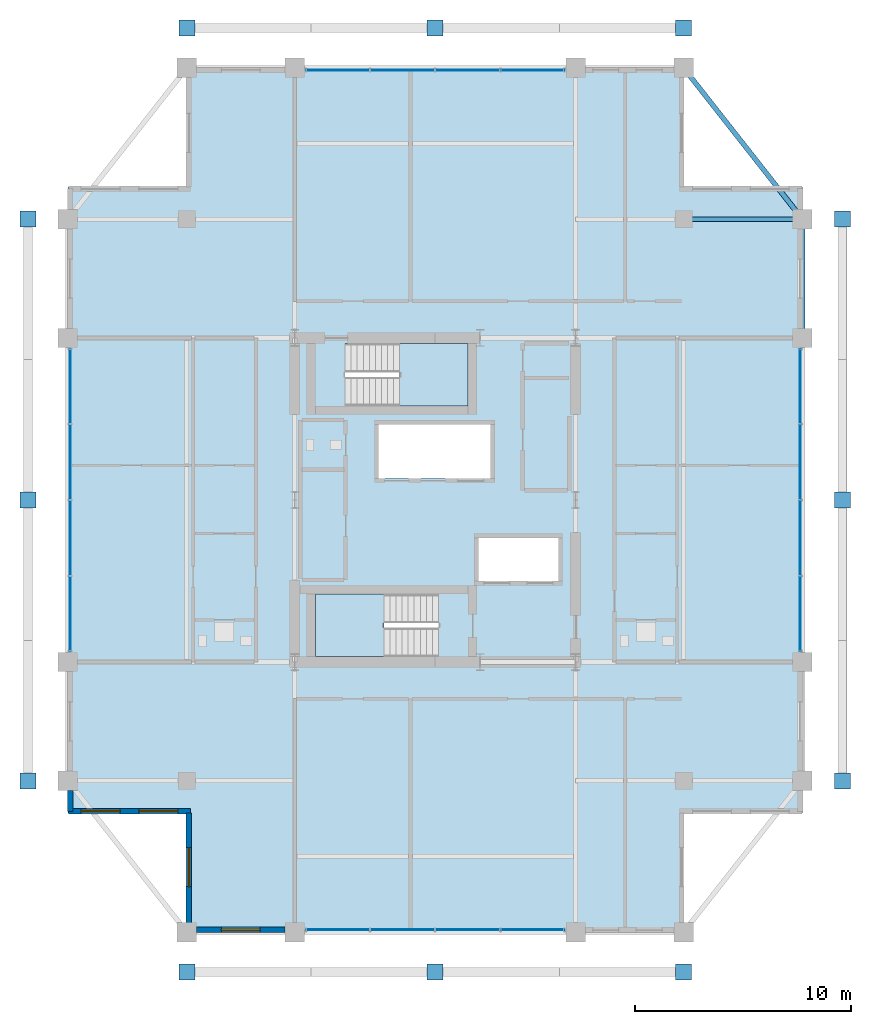
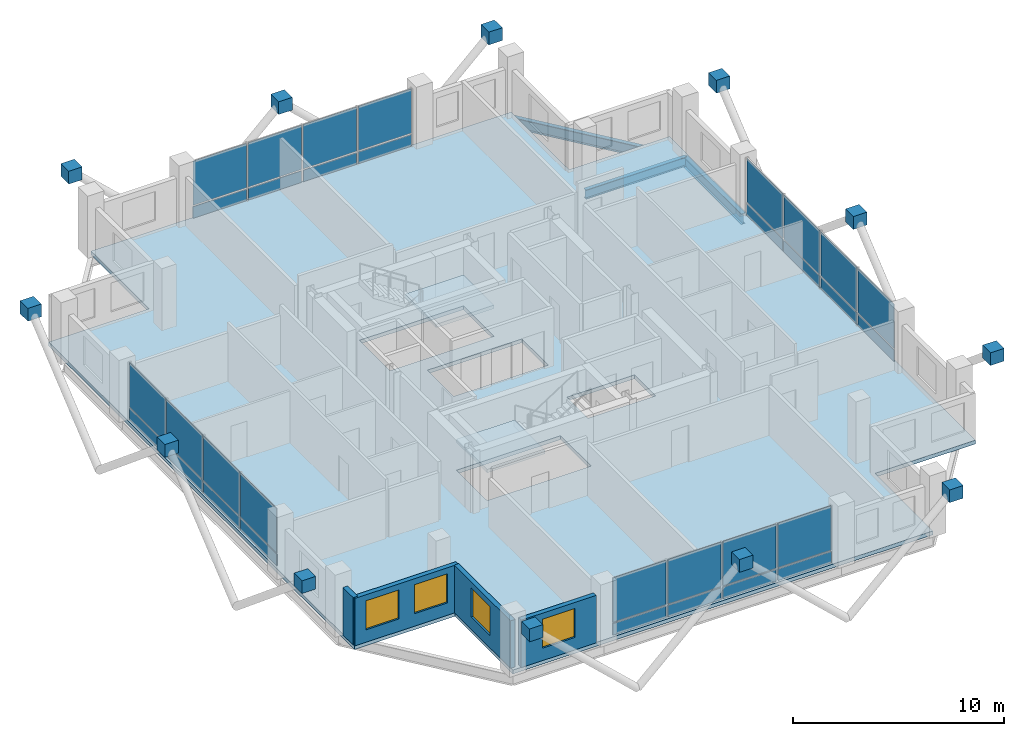
# One storey, part 17 of 23: 44 plates, 4 walls, 4 windows, 3 beams, 3 slabs, 4 openings, 6 elements without a shape of their own.
"""IFC4 building model written with IfcOpenShell, lengths in metres."""

from ifc_helpers import new_model, si_unit, direction, frame, frame_2d, origin, origin_2d, place, context, subcontext, project, spatial, polyline, rectangle, i_section, outline, extrude, material, layer, layer_set, material_profile, profile_set, type_object, element, fill, aggregate, save


model = new_model("IFC4")

# Units and contexts
model_context = context("Model", 3, precision=1e-05, world=origin(), true_north=direction((0.0, 1.0)))
body_context = subcontext(model_context, "Body", "Model", "MODEL_VIEW")
ifc_project = project(units=[si_unit("LENGTHUNIT", "METRE"), si_unit("AREAUNIT", "SQUARE_METRE"), si_unit("VOLUMEUNIT", "CUBIC_METRE"), si_unit("PLANEANGLEUNIT", "RADIAN"), si_unit("MASSUNIT", "GRAM", prefix="KILO")], contexts=[model_context])

# Site, building, storey
site_placement = place(None, origin())
site = spatial("IfcSite", under=ifc_project, at=site_placement, CompositionType="ELEMENT")
building_placement = place(site_placement, origin())
building = spatial("IfcBuilding", under=site, at=building_placement, Name="Barlavira Tower and Art Museum", CompositionType="ELEMENT")
storey_placement = place(building_placement, frame((0.0, 0.0, 290.699951171875)))
storey = spatial("IfcBuildingStorey", under=building, at=storey_placement, Name="L76", CompositionType="ELEMENT", Elevation=290.699951171875)

# Beams
ifc_material_1 = material(Name="Steel S355", Category="steel")
ifc_material_profile_1 = material_profile(ifc_material_1, i_section(OverallWidth=0.22998046875, OverallDepth=0.616943359375, WebThickness=0.01318359375, FlangeThickness=0.022216796875, at=origin_2d()), Name="W610x140.0")
ifc_profile_set_1 = profile_set([ifc_material_profile_1], Name="Steel S355")
beam_type_1 = type_object("IfcBeamType", Name="Upper Shaft Spandrel Edge Beam W610x140 Steel S355", PredefinedType="SPANDREL", material=ifc_profile_set_1)
beam_1_placement = place(storey_placement, frame((17.0, 7.5, -0.528564453125), z_axis=(0.0, 1.0, 0.0), x_axis=(-1.0, 0.0, 0.0)))
element("IfcBeam", 1, at=beam_1_placement, inside=storey, type_object=beam_type_1, Name="L76 Spandrel 7", PredefinedType="SPANDREL", context=body_context, shape_type="SweptSolid", body=[
    extrude(i_section(OverallWidth=0.22998046875, OverallDepth=0.616943359375, WebThickness=0.01318359375, FlangeThickness=0.022216796875, at=origin_2d()), origin(), (0.0, 0.0, 1.0), 5.5),
])
beam_2_placement = place(storey_placement, frame((17.0, 13.0, -0.528564453125), z_axis=(-0.617821551932, 0.786318338822, 0.0), x_axis=(-0.786318338822, -0.617821551932, 0.0)))
element("IfcBeam", 2, at=beam_2_placement, inside=storey, type_object=beam_type_1, Name="L76 Spandrel 8", PredefinedType="SPANDREL", context=body_context, shape_type="SweptSolid", body=[
    extrude(i_section(OverallWidth=0.22998046875, OverallDepth=0.616943359375, WebThickness=0.01318359375, FlangeThickness=0.022216796875, at=origin_2d()), origin(), (0.0, 0.0, 1.0), 8.90234375),
])
ifc_material_profile_2 = material_profile(ifc_material_1, i_section(OverallWidth=0.2109375, OverallDepth=0.5390625, WebThickness=0.01171875, FlangeThickness=0.018798828125, at=origin_2d()), Name="W530x109.0")
ifc_profile_set_2 = profile_set([ifc_material_profile_2], Name="Steel S355")
beam_type_2 = type_object("IfcBeamType", Name="Zone 3-4 Primary Floor Girder W530x109 Steel S355", PredefinedType="BEAM", material=ifc_profile_set_2)
beam_3_placement = place(storey_placement, frame((11.5, 13.0, -0.489501953125), z_axis=(1.0, 0.0, 0.0), x_axis=(0.0, 1.0, 0.0)))
element("IfcBeam", 3, at=beam_3_placement, inside=storey, type_object=beam_type_2, Name="L76 Girder I-N4", PredefinedType="BEAM", context=body_context, shape_type="SweptSolid", body=[
    extrude(i_section(OverallWidth=0.2109375, OverallDepth=0.5390625, WebThickness=0.01171875, FlangeThickness=0.018798828125, at=origin_2d()), origin(), (0.0, 0.0, 1.0), 5.5),
])

# Curtain wall, plates
ifc_material_2 = material(Name="Low-iron coastal laminated glass", Category="glass")
ifc_layer_1 = layer(ifc_material_2, 0.2099609375, Name="Low-iron coastal laminated glass")
ifc_layer_set_1 = layer_set([ifc_layer_1], Name="Low-iron coastal laminated glass")
curtain_wall_type = type_object("IfcCurtainWallType", Name="Pale-Metal Unitised Curtain Wall Zone 4", PredefinedType="NOTDEFINED", material=ifc_layer_set_1)
curtain_wall_1_placement = place(storey_placement, origin())
curtain_wall_1 = element("IfcCurtainWall", 4, at=curtain_wall_1_placement, inside=storey, type_object=curtain_wall_type, Name="L76 Curtain Wall CW4-L76-S-B2", PredefinedType="NOTDEFINED")
ifc_material_3 = material(Name="Pale anodised aluminium", Category="aluminium")
ifc_layer_2 = layer(ifc_material_3, 0.044921875, Name="Pale anodised aluminium")
ifc_layer_set_2 = layer_set([ifc_layer_2], Name="Pale anodised aluminium")
plate_type_1 = type_object("IfcPlateType", Name="Curtain Wall Pale-Metal Spandrel Panel 45", PredefinedType="CURTAIN_PANEL", material=ifc_layer_set_2)
plate_1_placement = place(storey_placement, frame((-4.5224609375, -19.89990234375, 0.0400390625), z_axis=(0.0, 0.0, 1.0), x_axis=(1.0, 0.0, 0.0)))
plate_1 = element("IfcPlate", 5, at=plate_1_placement, type_object=plate_type_1, Name="CW4-L76-S-B2 Spandrel Panel 0", PredefinedType="CURTAIN_PANEL", context=body_context, shape_type="SweptSolid", body=[
    extrude(rectangle(XDim=2.9150390625, YDim=0.044921875, at=origin_2d()), origin(), (0.0, 0.0, 1.0), 0.6640625),
])
plate_2_placement = place(storey_placement, frame((-1.507568359375, -19.89990234375, 0.0400390625), z_axis=(0.0, 0.0, 1.0), x_axis=(1.0, 0.0, 0.0)))
plate_2 = element("IfcPlate", 6, at=plate_2_placement, type_object=plate_type_1, Name="CW4-L76-S-B2 Spandrel Panel 1", PredefinedType="CURTAIN_PANEL", context=body_context, shape_type="SweptSolid", body=[
    extrude(rectangle(XDim=2.9150390625, YDim=0.044921875, at=origin_2d()), origin(), (0.0, 0.0, 1.0), 0.6640625),
])
plate_3_placement = place(storey_placement, frame((1.507568359375, -19.89990234375, 0.0400390625), z_axis=(0.0, 0.0, 1.0), x_axis=(1.0, 0.0, 0.0)))
plate_3 = element("IfcPlate", 7, at=plate_3_placement, type_object=plate_type_1, Name="CW4-L76-S-B2 Spandrel Panel 2", PredefinedType="CURTAIN_PANEL", context=body_context, shape_type="SweptSolid", body=[
    extrude(rectangle(XDim=2.9150390625, YDim=0.044921875, at=origin_2d()), origin(), (0.0, 0.0, 1.0), 0.6640625),
])
plate_4_placement = place(storey_placement, frame((4.5224609375, -19.89990234375, 0.0400390625), z_axis=(0.0, 0.0, 1.0), x_axis=(1.0, 0.0, 0.0)))
plate_4 = element("IfcPlate", 8, at=plate_4_placement, type_object=plate_type_1, Name="CW4-L76-S-B2 Spandrel Panel 3", PredefinedType="CURTAIN_PANEL", context=body_context, shape_type="SweptSolid", body=[
    extrude(rectangle(XDim=2.9150390625, YDim=0.044921875, at=origin_2d()), origin(), (0.0, 0.0, 1.0), 0.6640625),
])

curtain_wall_2_placement = place(storey_placement, origin())
curtain_wall_2 = element("IfcCurtainWall", 9, at=curtain_wall_2_placement, inside=storey, type_object=curtain_wall_type, Name="L76 Curtain Wall CW4-L76-N-B2", PredefinedType="NOTDEFINED")
plate_5_placement = place(storey_placement, frame((4.5224609375, 19.89990234375, 0.0400390625), z_axis=(0.0, 0.0, 1.0), x_axis=(-1.0, 0.0, 0.0)))
plate_5 = element("IfcPlate", 10, at=plate_5_placement, type_object=plate_type_1, Name="CW4-L76-N-B2 Spandrel Panel 0", PredefinedType="CURTAIN_PANEL", context=body_context, shape_type="SweptSolid", body=[
    extrude(rectangle(XDim=2.9150390625, YDim=0.044921875, at=origin_2d()), origin(), (0.0, 0.0, 1.0), 0.6640625),
])
plate_6_placement = place(storey_placement, frame((1.507568359375, 19.89990234375, 0.0400390625), z_axis=(0.0, 0.0, 1.0), x_axis=(-1.0, 0.0, 0.0)))
plate_6 = element("IfcPlate", 11, at=plate_6_placement, type_object=plate_type_1, Name="CW4-L76-N-B2 Spandrel Panel 1", PredefinedType="CURTAIN_PANEL", context=body_context, shape_type="SweptSolid", body=[
    extrude(rectangle(XDim=2.9150390625, YDim=0.044921875, at=origin_2d()), origin(), (0.0, 0.0, 1.0), 0.6640625),
])
plate_7_placement = place(storey_placement, frame((-1.507568359375, 19.89990234375, 0.0400390625), z_axis=(0.0, 0.0, 1.0), x_axis=(-1.0, 0.0, 0.0)))
plate_7 = element("IfcPlate", 12, at=plate_7_placement, type_object=plate_type_1, Name="CW4-L76-N-B2 Spandrel Panel 2", PredefinedType="CURTAIN_PANEL", context=body_context, shape_type="SweptSolid", body=[
    extrude(rectangle(XDim=2.9150390625, YDim=0.044921875, at=origin_2d()), origin(), (0.0, 0.0, 1.0), 0.6640625),
])
plate_8_placement = place(storey_placement, frame((-4.5224609375, 19.89990234375, 0.0400390625), z_axis=(0.0, 0.0, 1.0), x_axis=(-1.0, 0.0, 0.0)))
plate_8 = element("IfcPlate", 13, at=plate_8_placement, type_object=plate_type_1, Name="CW4-L76-N-B2 Spandrel Panel 3", PredefinedType="CURTAIN_PANEL", context=body_context, shape_type="SweptSolid", body=[
    extrude(rectangle(XDim=2.9150390625, YDim=0.044921875, at=origin_2d()), origin(), (0.0, 0.0, 1.0), 0.6640625),
])

curtain_wall_3_placement = place(storey_placement, origin())
curtain_wall_3 = element("IfcCurtainWall", 14, at=curtain_wall_3_placement, inside=storey, type_object=curtain_wall_type, Name="L76 Curtain Wall CW4-L76-W-B3", PredefinedType="NOTDEFINED")
plate_9_placement = place(storey_placement, frame((-16.89990234375, 5.2724609375, 0.0400390625), z_axis=(0.0, 0.0, 1.0), x_axis=(0.0, -1.0, 0.0)))
plate_9 = element("IfcPlate", 15, at=plate_9_placement, type_object=plate_type_1, Name="CW4-L76-W-B3 Spandrel Panel 0", PredefinedType="CURTAIN_PANEL", context=body_context, shape_type="SweptSolid", body=[
    extrude(rectangle(XDim=3.4150390625, YDim=0.044921875, at=origin_2d()), origin(), (0.0, 0.0, 1.0), 0.6640625),
])
plate_10_placement = place(storey_placement, frame((-16.89990234375, 1.757568359375, 0.0400390625), z_axis=(0.0, 0.0, 1.0), x_axis=(0.0, -1.0, 0.0)))
plate_10 = element("IfcPlate", 16, at=plate_10_placement, type_object=plate_type_1, Name="CW4-L76-W-B3 Spandrel Panel 1", PredefinedType="CURTAIN_PANEL", context=body_context, shape_type="SweptSolid", body=[
    extrude(rectangle(XDim=3.4150390625, YDim=0.044921875, at=origin_2d()), origin(), (0.0, 0.0, 1.0), 0.6640625),
])
plate_11_placement = place(storey_placement, frame((-16.89990234375, -1.757568359375, 0.0400390625), z_axis=(0.0, 0.0, 1.0), x_axis=(0.0, -1.0, 0.0)))
plate_11 = element("IfcPlate", 17, at=plate_11_placement, type_object=plate_type_1, Name="CW4-L76-W-B3 Spandrel Panel 2", PredefinedType="CURTAIN_PANEL", context=body_context, shape_type="SweptSolid", body=[
    extrude(rectangle(XDim=3.4150390625, YDim=0.044921875, at=origin_2d()), origin(), (0.0, 0.0, 1.0), 0.6640625),
])
plate_12_placement = place(storey_placement, frame((-16.89990234375, -5.2724609375, 0.0400390625), z_axis=(0.0, 0.0, 1.0), x_axis=(0.0, -1.0, 0.0)))
plate_12 = element("IfcPlate", 18, at=plate_12_placement, type_object=plate_type_1, Name="CW4-L76-W-B3 Spandrel Panel 3", PredefinedType="CURTAIN_PANEL", context=body_context, shape_type="SweptSolid", body=[
    extrude(rectangle(XDim=3.4150390625, YDim=0.044921875, at=origin_2d()), origin(), (0.0, 0.0, 1.0), 0.6640625),
])

curtain_wall_4_placement = place(storey_placement, origin())
curtain_wall_4 = element("IfcCurtainWall", 19, at=curtain_wall_4_placement, inside=storey, type_object=curtain_wall_type, Name="L76 Curtain Wall CW4-L76-E-B3", PredefinedType="NOTDEFINED")
plate_13_placement = place(storey_placement, frame((16.89990234375, -5.2724609375, 0.0400390625), z_axis=(0.0, 0.0, 1.0), x_axis=(0.0, 1.0, 0.0)))
plate_13 = element("IfcPlate", 20, at=plate_13_placement, type_object=plate_type_1, Name="CW4-L76-E-B3 Spandrel Panel 0", PredefinedType="CURTAIN_PANEL", context=body_context, shape_type="SweptSolid", body=[
    extrude(rectangle(XDim=3.4150390625, YDim=0.044921875, at=origin_2d()), origin(), (0.0, 0.0, 1.0), 0.6640625),
])
plate_14_placement = place(storey_placement, frame((16.89990234375, -1.757568359375, 0.0400390625), z_axis=(0.0, 0.0, 1.0), x_axis=(0.0, 1.0, 0.0)))
plate_14 = element("IfcPlate", 21, at=plate_14_placement, type_object=plate_type_1, Name="CW4-L76-E-B3 Spandrel Panel 1", PredefinedType="CURTAIN_PANEL", context=body_context, shape_type="SweptSolid", body=[
    extrude(rectangle(XDim=3.4150390625, YDim=0.044921875, at=origin_2d()), origin(), (0.0, 0.0, 1.0), 0.6640625),
])
plate_15_placement = place(storey_placement, frame((16.89990234375, 1.757568359375, 0.0400390625), z_axis=(0.0, 0.0, 1.0), x_axis=(0.0, 1.0, 0.0)))
plate_15 = element("IfcPlate", 22, at=plate_15_placement, type_object=plate_type_1, Name="CW4-L76-E-B3 Spandrel Panel 2", PredefinedType="CURTAIN_PANEL", context=body_context, shape_type="SweptSolid", body=[
    extrude(rectangle(XDim=3.4150390625, YDim=0.044921875, at=origin_2d()), origin(), (0.0, 0.0, 1.0), 0.6640625),
])
plate_16_placement = place(storey_placement, frame((16.89990234375, 5.2724609375, 0.0400390625), z_axis=(0.0, 0.0, 1.0), x_axis=(0.0, 1.0, 0.0)))
plate_16 = element("IfcPlate", 23, at=plate_16_placement, type_object=plate_type_1, Name="CW4-L76-E-B3 Spandrel Panel 3", PredefinedType="CURTAIN_PANEL", context=body_context, shape_type="SweptSolid", body=[
    extrude(rectangle(XDim=3.4150390625, YDim=0.044921875, at=origin_2d()), origin(), (0.0, 0.0, 1.0), 0.6640625),
])

# Plate
ifc_layer_3 = layer(ifc_material_2, 0.028076171875, Name="Low-iron coastal laminated glass")
ifc_layer_set_3 = layer_set([ifc_layer_3], Name="Low-iron coastal laminated glass")
plate_type_2 = type_object("IfcPlateType", Name="Curtain Wall Vision Glazing Panel 28", PredefinedType="CURTAIN_PANEL", material=ifc_layer_set_3)
plate_17_placement = place(storey_placement, frame((-4.5224609375, -19.89990234375, 0.7841796875), z_axis=(0.0, 0.0, 1.0), x_axis=(1.0, 0.0, 0.0)))
plate_17 = element("IfcPlate", 24, at=plate_17_placement, type_object=plate_type_2, Name="CW4-L76-S-B2 Vision Glass Panel 0", PredefinedType="CURTAIN_PANEL", context=body_context, shape_type="SweptSolid", body=[
    extrude(rectangle(XDim=2.9150390625, YDim=0.028076171875, at=origin_2d()), origin(), (0.0, 0.0, 1.0), 2.555908203125),
])

plate_18_placement = place(storey_placement, frame((-1.507568359375, -19.89990234375, 0.7841796875), z_axis=(0.0, 0.0, 1.0), x_axis=(1.0, 0.0, 0.0)))
plate_18 = element("IfcPlate", 25, at=plate_18_placement, type_object=plate_type_2, Name="CW4-L76-S-B2 Vision Glass Panel 1", PredefinedType="CURTAIN_PANEL", context=body_context, shape_type="SweptSolid", body=[
    extrude(rectangle(XDim=2.9150390625, YDim=0.028076171875, at=origin_2d()), origin(), (0.0, 0.0, 1.0), 2.555908203125),
])

plate_19_placement = place(storey_placement, frame((1.507568359375, -19.89990234375, 0.7841796875), z_axis=(0.0, 0.0, 1.0), x_axis=(1.0, 0.0, 0.0)))
plate_19 = element("IfcPlate", 26, at=plate_19_placement, type_object=plate_type_2, Name="CW4-L76-S-B2 Vision Glass Panel 2", PredefinedType="CURTAIN_PANEL", context=body_context, shape_type="SweptSolid", body=[
    extrude(rectangle(XDim=2.9150390625, YDim=0.028076171875, at=origin_2d()), origin(), (0.0, 0.0, 1.0), 2.555908203125),
])

plate_20_placement = place(storey_placement, frame((4.5224609375, -19.89990234375, 0.7841796875), z_axis=(0.0, 0.0, 1.0), x_axis=(1.0, 0.0, 0.0)))
plate_20 = element("IfcPlate", 27, at=plate_20_placement, type_object=plate_type_2, Name="CW4-L76-S-B2 Vision Glass Panel 3", PredefinedType="CURTAIN_PANEL", context=body_context, shape_type="SweptSolid", body=[
    extrude(rectangle(XDim=2.9150390625, YDim=0.028076171875, at=origin_2d()), origin(), (0.0, 0.0, 1.0), 2.555908203125),
])

aggregate(curtain_wall_1, [plate_1, plate_17, plate_2, plate_18, plate_3, plate_19, plate_4, plate_20])

plate_21_placement = place(storey_placement, frame((4.5224609375, 19.89990234375, 0.7841796875), z_axis=(0.0, 0.0, 1.0), x_axis=(-1.0, 0.0, 0.0)))
plate_21 = element("IfcPlate", 28, at=plate_21_placement, type_object=plate_type_2, Name="CW4-L76-N-B2 Vision Glass Panel 0", PredefinedType="CURTAIN_PANEL", context=body_context, shape_type="SweptSolid", body=[
    extrude(rectangle(XDim=2.9150390625, YDim=0.028076171875, at=origin_2d()), origin(), (0.0, 0.0, 1.0), 2.555908203125),
])

plate_22_placement = place(storey_placement, frame((1.507568359375, 19.89990234375, 0.7841796875), z_axis=(0.0, 0.0, 1.0), x_axis=(-1.0, 0.0, 0.0)))
plate_22 = element("IfcPlate", 29, at=plate_22_placement, type_object=plate_type_2, Name="CW4-L76-N-B2 Vision Glass Panel 1", PredefinedType="CURTAIN_PANEL", context=body_context, shape_type="SweptSolid", body=[
    extrude(rectangle(XDim=2.9150390625, YDim=0.028076171875, at=origin_2d()), origin(), (0.0, 0.0, 1.0), 2.555908203125),
])

plate_23_placement = place(storey_placement, frame((-1.507568359375, 19.89990234375, 0.7841796875), z_axis=(0.0, 0.0, 1.0), x_axis=(-1.0, 0.0, 0.0)))
plate_23 = element("IfcPlate", 30, at=plate_23_placement, type_object=plate_type_2, Name="CW4-L76-N-B2 Vision Glass Panel 2", PredefinedType="CURTAIN_PANEL", context=body_context, shape_type="SweptSolid", body=[
    extrude(rectangle(XDim=2.9150390625, YDim=0.028076171875, at=origin_2d()), origin(), (0.0, 0.0, 1.0), 2.555908203125),
])

plate_24_placement = place(storey_placement, frame((-4.5224609375, 19.89990234375, 0.7841796875), z_axis=(0.0, 0.0, 1.0), x_axis=(-1.0, 0.0, 0.0)))
plate_24 = element("IfcPlate", 31, at=plate_24_placement, type_object=plate_type_2, Name="CW4-L76-N-B2 Vision Glass Panel 3", PredefinedType="CURTAIN_PANEL", context=body_context, shape_type="SweptSolid", body=[
    extrude(rectangle(XDim=2.9150390625, YDim=0.028076171875, at=origin_2d()), origin(), (0.0, 0.0, 1.0), 2.555908203125),
])

aggregate(curtain_wall_2, [plate_5, plate_21, plate_6, plate_22, plate_7, plate_23, plate_8, plate_24])

plate_25_placement = place(storey_placement, frame((-16.89990234375, 5.2724609375, 0.7841796875), z_axis=(0.0, 0.0, 1.0), x_axis=(0.0, -1.0, 0.0)))
plate_25 = element("IfcPlate", 32, at=plate_25_placement, type_object=plate_type_2, Name="CW4-L76-W-B3 Vision Glass Panel 0", PredefinedType="CURTAIN_PANEL", context=body_context, shape_type="SweptSolid", body=[
    extrude(rectangle(XDim=3.4150390625, YDim=0.028076171875, at=origin_2d()), origin(), (0.0, 0.0, 1.0), 2.555908203125),
])

plate_26_placement = place(storey_placement, frame((-16.89990234375, 1.757568359375, 0.7841796875), z_axis=(0.0, 0.0, 1.0), x_axis=(0.0, -1.0, 0.0)))
plate_26 = element("IfcPlate", 33, at=plate_26_placement, type_object=plate_type_2, Name="CW4-L76-W-B3 Vision Glass Panel 1", PredefinedType="CURTAIN_PANEL", context=body_context, shape_type="SweptSolid", body=[
    extrude(rectangle(XDim=3.4150390625, YDim=0.028076171875, at=origin_2d()), origin(), (0.0, 0.0, 1.0), 2.555908203125),
])

plate_27_placement = place(storey_placement, frame((-16.89990234375, -1.757568359375, 0.7841796875), z_axis=(0.0, 0.0, 1.0), x_axis=(0.0, -1.0, 0.0)))
plate_27 = element("IfcPlate", 34, at=plate_27_placement, type_object=plate_type_2, Name="CW4-L76-W-B3 Vision Glass Panel 2", PredefinedType="CURTAIN_PANEL", context=body_context, shape_type="SweptSolid", body=[
    extrude(rectangle(XDim=3.4150390625, YDim=0.028076171875, at=origin_2d()), origin(), (0.0, 0.0, 1.0), 2.555908203125),
])

plate_28_placement = place(storey_placement, frame((-16.89990234375, -5.2724609375, 0.7841796875), z_axis=(0.0, 0.0, 1.0), x_axis=(0.0, -1.0, 0.0)))
plate_28 = element("IfcPlate", 35, at=plate_28_placement, type_object=plate_type_2, Name="CW4-L76-W-B3 Vision Glass Panel 3", PredefinedType="CURTAIN_PANEL", context=body_context, shape_type="SweptSolid", body=[
    extrude(rectangle(XDim=3.4150390625, YDim=0.028076171875, at=origin_2d()), origin(), (0.0, 0.0, 1.0), 2.555908203125),
])

aggregate(curtain_wall_3, [plate_9, plate_25, plate_10, plate_26, plate_11, plate_27, plate_12, plate_28])

plate_29_placement = place(storey_placement, frame((16.89990234375, -5.2724609375, 0.7841796875), z_axis=(0.0, 0.0, 1.0), x_axis=(0.0, 1.0, 0.0)))
plate_29 = element("IfcPlate", 36, at=plate_29_placement, type_object=plate_type_2, Name="CW4-L76-E-B3 Vision Glass Panel 0", PredefinedType="CURTAIN_PANEL", context=body_context, shape_type="SweptSolid", body=[
    extrude(rectangle(XDim=3.4150390625, YDim=0.028076171875, at=origin_2d()), origin(), (0.0, 0.0, 1.0), 2.555908203125),
])

plate_30_placement = place(storey_placement, frame((16.89990234375, -1.757568359375, 0.7841796875), z_axis=(0.0, 0.0, 1.0), x_axis=(0.0, 1.0, 0.0)))
plate_30 = element("IfcPlate", 37, at=plate_30_placement, type_object=plate_type_2, Name="CW4-L76-E-B3 Vision Glass Panel 1", PredefinedType="CURTAIN_PANEL", context=body_context, shape_type="SweptSolid", body=[
    extrude(rectangle(XDim=3.4150390625, YDim=0.028076171875, at=origin_2d()), origin(), (0.0, 0.0, 1.0), 2.555908203125),
])

plate_31_placement = place(storey_placement, frame((16.89990234375, 1.757568359375, 0.7841796875), z_axis=(0.0, 0.0, 1.0), x_axis=(0.0, 1.0, 0.0)))
plate_31 = element("IfcPlate", 38, at=plate_31_placement, type_object=plate_type_2, Name="CW4-L76-E-B3 Vision Glass Panel 2", PredefinedType="CURTAIN_PANEL", context=body_context, shape_type="SweptSolid", body=[
    extrude(rectangle(XDim=3.4150390625, YDim=0.028076171875, at=origin_2d()), origin(), (0.0, 0.0, 1.0), 2.555908203125),
])

plate_32_placement = place(storey_placement, frame((16.89990234375, 5.2724609375, 0.7841796875), z_axis=(0.0, 0.0, 1.0), x_axis=(0.0, 1.0, 0.0)))
plate_32 = element("IfcPlate", 39, at=plate_32_placement, type_object=plate_type_2, Name="CW4-L76-E-B3 Vision Glass Panel 3", PredefinedType="CURTAIN_PANEL", context=body_context, shape_type="SweptSolid", body=[
    extrude(rectangle(XDim=3.4150390625, YDim=0.028076171875, at=origin_2d()), origin(), (0.0, 0.0, 1.0), 2.555908203125),
])

aggregate(curtain_wall_4, [plate_13, plate_29, plate_14, plate_30, plate_15, plate_31, plate_16, plate_32])

# Plates
ifc_layer_4 = layer(ifc_material_1, 0.739990234375, Name="Steel S355")
ifc_layer_set_4 = layer_set([ifc_layer_4], Name="Steel S355")
plate_type_3 = type_object("IfcPlateType", Name="Exoskeleton Solid Steel Node Cap Plate Assembly Type 4 Steel S355", PredefinedType="USERDEFINED", material=ifc_layer_set_4)
for number, where, z_axis, x_axis, name in (
    (40, (-11.5, -21.85009765625, 3.10986328125), (0.0, 0.0, 1.0), (1.0, 0.0, 0.0), "Exoskeleton Node S ND-L76-0829"),
    (41, (0.0, -21.85009765625, 3.10986328125), (0.0, 0.0, 1.0), (1.0, 0.0, 0.0), "Exoskeleton Node S ND-L76-0830"),
    (42, (11.5, -21.85009765625, 3.10986328125), (0.0, 0.0, 1.0), (1.0, 0.0, 0.0), "Exoskeleton Node S ND-L76-0831"),
    (43, (-11.5, 21.85009765625, 3.10986328125), (0.0, 0.0, 1.0), (1.0, 0.0, 0.0), "Exoskeleton Node N ND-L76-0837"),
    (44, (0.0, 21.85009765625, 3.10986328125), (0.0, 0.0, 1.0), (1.0, 0.0, 0.0), "Exoskeleton Node N ND-L76-0838"),
    (45, (11.5, 21.85009765625, 3.10986328125), (0.0, 0.0, 1.0), (1.0, 0.0, 0.0), "Exoskeleton Node N ND-L76-0839"),
    (46, (-18.85009765625, -13.0, 3.10986328125), (0.0, 0.0, 1.0), (1.0, 0.0, 0.0), "Exoskeleton Node W ND-L76-0845"),
    (47, (-18.85009765625, 0.0, 3.10986328125), (0.0, 0.0, 1.0), (1.0, 0.0, 0.0), "Exoskeleton Node W ND-L76-0846"),
    (48, (-18.85009765625, 13.0, 3.10986328125), (0.0, 0.0, 1.0), (1.0, 0.0, 0.0), "Exoskeleton Node W ND-L76-0847"),
    (49, (18.85009765625, -13.0, 3.10986328125), (0.0, 0.0, 1.0), (1.0, 0.0, 0.0), "Exoskeleton Node E ND-L76-0853"),
    (50, (18.85009765625, 0.0, 3.10986328125), (0.0, 0.0, 1.0), (1.0, 0.0, 0.0), "Exoskeleton Node E ND-L76-0854"),
    (51, (18.85009765625, 13.0, 3.10986328125), (0.0, 0.0, 1.0), (1.0, 0.0, 0.0), "Exoskeleton Node E ND-L76-0855"),
):
    element("IfcPlate", number, at=place(storey_placement, frame(where, z_axis=z_axis, x_axis=x_axis)), inside=storey, type_object=plate_type_3, Name=name, ObjectType="FLANGE_PLATE", PredefinedType="USERDEFINED", context=body_context, shape_type="SweptSolid", body=[
        extrude(rectangle(XDim=0.739990234375, YDim=0.739990234375, at=origin_2d()), origin(), (0.0, 0.0, 1.0), 0.739990234375),
    ])

# Stair, slab
ifc_material_4 = material(Name="Concrete C45", Category="concrete")
stair_type_1 = type_object("IfcStairType", Name="Tower North Dog-Leg Exit Stair Assembly Concrete C45", PredefinedType="TWO_QUARTER_TURN_STAIR", material=ifc_material_4)
stair_1_placement = place(storey_placement, origin())
stair_1 = element("IfcStair", 52, at=stair_1_placement, inside=storey, type_object=stair_type_1, Name="L76 Tower North Exit Stair ST-T2", PredefinedType="TWO_QUARTER_TURN_STAIR")
ifc_layer_5 = layer(ifc_material_4, 0.199951171875, Name="Concrete C45")
ifc_layer_set_5 = layer_set([ifc_layer_5], Name="Concrete C45")
slab_type_1 = type_object("IfcSlabType", Name="Tower North Dog-Leg Exit Stair Half-Landing Slab 200 Concrete C45", PredefinedType="LANDING", material=ifc_layer_set_5)
slab_1_placement = place(storey_placement, frame((0.0, 0.0, 1.60009765625)))
slab_1 = element("IfcSlab", 53, at=slab_1_placement, type_object=slab_type_1, Name="ST-T2 landing 1", PredefinedType="LANDING", context=body_context, shape_type="SweptSolid", body=[
    extrude(outline(polyline([(-1.64990234375, 4.35009765625), (1.530029296875, 4.35009765625), (1.530029296875, 7.25), (-1.64990234375, 7.25), (-1.64990234375, 4.35009765625)])), origin(), (0.0, 0.0, 1.0), 0.199951171875),
])
aggregate(stair_1, [slab_1])

stair_type_2 = type_object("IfcStairType", Name="Tower South Dog-Leg Exit Stair Assembly Concrete C45", PredefinedType="TWO_QUARTER_TURN_STAIR", material=ifc_material_4)
stair_2_placement = place(storey_placement, origin())
stair_2 = element("IfcStair", 54, at=stair_2_placement, inside=storey, type_object=stair_type_2, Name="L76 Tower South Exit Stair ST-T1", PredefinedType="TWO_QUARTER_TURN_STAIR")
ifc_layer_6 = layer(ifc_material_4, 0.199951171875, Name="Concrete C45")
ifc_layer_set_6 = layer_set([ifc_layer_6], Name="Concrete C45")
slab_type_2 = type_object("IfcSlabType", Name="Tower South Dog-Leg Exit Stair Half-Landing Slab 200 Concrete C45", PredefinedType="LANDING", material=ifc_layer_set_6)
slab_2_placement = place(storey_placement, frame((0.0, 0.0, 1.60009765625)))
slab_2 = element("IfcSlab", 55, at=slab_2_placement, type_object=slab_type_2, Name="ST-T1 landing 1", PredefinedType="LANDING", context=body_context, shape_type="SweptSolid", body=[
    extrude(outline(polyline([(-2.3701171875, -4.35009765625), (-5.550048828125, -4.35009765625), (-5.550048828125, -7.25), (-2.3701171875, -7.25), (-2.3701171875, -4.35009765625)])), origin(), (0.0, 0.0, 1.0), 0.199951171875),
])
aggregate(stair_2, [slab_2])

# Slab
ifc_material_5 = material(Name="Concrete C50", Category="concrete")
ifc_layer_7 = layer(ifc_material_5, 0.18994140625, Name="Concrete C50")
ifc_layer_set_7 = layer_set([ifc_layer_7], Name="Concrete C50")
slab_type_3 = type_object("IfcSlabType", Name="Zone 4 Residential Composite Slab 190 Concrete C50", PredefinedType="FLOOR", material=ifc_layer_set_7)
slab_3_placement = place(storey_placement, frame((0.0, 0.0, -0.219970703125)))
element("IfcSlab", 56, at=slab_3_placement, inside=storey, type_object=slab_type_3, Name="L76 Tower Floor Slab", PredefinedType="FLOOR", context=body_context, shape_type="SweptSolid", body=[
    extrude(outline(polyline([(-11.5, -20.0), (11.5, -20.0), (11.5, -14.5), (17.0, -14.5), (17.0, 14.5), (11.5, 14.5), (11.5, 20.0), (-11.5, 20.0), (-11.5, 14.5), (-17.0, 14.5), (-17.0, -14.5), (-11.5, -14.5), (-11.5, -20.0)]), holes=[polyline([(0.14990234375, -4.35009765625), (-5.550048828125, -4.35009765625), (-5.550048828125, -7.25), (0.14990234375, -7.25), (0.14990234375, -4.35009765625)]), polyline([(-4.169921875, 4.35009765625), (1.530029296875, 4.35009765625), (1.530029296875, 7.25), (-4.169921875, 7.25), (-4.169921875, 4.35009765625)]), polyline([(-2.6201171875, 1.0), (2.56005859375, 1.0), (2.56005859375, 3.5), (-2.6201171875, 3.5), (-2.6201171875, 1.0)]), polyline([(2.0, -3.75), (5.699951171875, -3.75), (5.699951171875, -1.75), (2.0, -1.75), (2.0, -3.75)])]), origin(), (0.0, 0.0, 1.0), 0.219970703125),
])

# Wall, opening, window
ifc_material_6 = material(Name="Precast concrete C40", Category="concrete")
ifc_layer_8 = layer(ifc_material_6, 0.25, Name="Precast concrete C40")
ifc_layer_set_8 = layer_set([ifc_layer_8], Name="Precast concrete C40")
wall_type = type_object("IfcWallType", Name="Notched Corner Spandrel Wall 250 Precast Concrete C40", PredefinedType="SOLIDWALL", material=ifc_layer_set_8)
wall_1_placement = place(storey_placement, frame((-11.054931640625, -19.89990234375, 0.0), z_axis=(0.0, 0.0, 1.0), x_axis=(1.0, 0.0, 0.0)))
wall_1 = element("IfcWall", 57, at=wall_1_placement, inside=storey, type_object=wall_type, Name="L76 Coastal Facade Pier Wall CW4-L76-S-1", PredefinedType="SOLIDWALL", context=body_context, shape_type="SweptSolid", body=[
    extrude(rectangle(XDim=4.10986328125, YDim=0.25, at=frame_2d((2.054931640625, 0.0))), origin(), (0.0, 0.0, 1.0), 2.748046875),
])
opening_1_placement = place(wall_1_placement, frame((1.155029296875, 0.0, 0.719970703125)))
opening_1 = element("IfcOpeningElement", 58, at=opening_1_placement, cuts=wall_1, Name="Opening WN-01", PredefinedType="OPENING", context=body_context, shape_type="SweptSolid", body=[
    extrude(rectangle(XDim=1.800048828125, YDim=1.679931640625, at=frame_2d((0.89990234375, 0.83984375))), frame((0.0, 0.135009765625, 0.0), z_axis=(0.0, -1.0, 0.0), x_axis=(1.0, 0.0, 0.0)), (0.0, 0.0, 1.0), 0.27001953125),
])
window_type = type_object("IfcWindowType", Name="Recessed Notch Corner Punch Window 1800x1680", PartitioningType="SINGLE_PANEL", PredefinedType="WINDOW", material=ifc_material_2)
window_1_placement = place(opening_1_placement, origin())
window_1 = element("IfcWindow", 59, at=window_1_placement, inside=storey, type_object=window_type, Name="L76 Punched Facade Window EWP-CW4-L76-S-1-1", OverallHeight=1.679931640625, OverallWidth=1.800048828125, PartitioningType="SINGLE_PANEL", PredefinedType="WINDOW", context=body_context, shape_type="SweptSolid", body=[
    extrude(rectangle(XDim=1.800048828125, YDim=1.679931640625, at=frame_2d((0.89990234375, 0.83984375))), frame((0.0, 0.030029296875, 0.0), z_axis=(0.0, -1.0, 0.0), x_axis=(1.0, 0.0, 0.0)), (0.0, 0.0, 1.0), 0.06005859375),
])
fill(opening_1, window_1)

# Wall
wall_2_placement = place(storey_placement, frame((-16.89990234375, -13.445068359375, 0.0), z_axis=(0.0, 0.0, 1.0), x_axis=(0.0, -1.0, 0.0)))
element("IfcWall", 60, at=wall_2_placement, inside=storey, type_object=wall_type, Name="L76 Coastal Facade Pier Wall CW4-L76-W-5", PredefinedType="SOLIDWALL", context=body_context, shape_type="SweptSolid", body=[
    extrude(rectangle(XDim=0.97998046875, YDim=0.25, at=frame_2d((0.489990234375, 0.0))), origin(), (0.0, 0.0, 1.0), 2.748046875),
])

# Wall, openings, windows
wall_3_placement = place(storey_placement, frame((-16.97998046875, -14.39990234375, 0.0), z_axis=(0.0, 0.0, 1.0), x_axis=(1.0, 0.0, 0.0)))
wall_3 = element("IfcWall", 61, at=wall_3_placement, inside=storey, type_object=wall_type, Name="L76 Notch Corner Wall SW1", PredefinedType="SOLIDWALL", context=body_context, shape_type="SweptSolid", body=[
    extrude(rectangle(XDim=5.659912109375, YDim=0.25, at=frame_2d((2.830078125, 0.0))), origin(), (0.0, 0.0, 1.0), 2.748046875),
])
opening_2_placement = place(wall_3_placement, frame((0.594970703125, 0.0, 0.719970703125)))
opening_2 = element("IfcOpeningElement", 62, at=opening_2_placement, cuts=wall_3, Name="Opening WN-01", PredefinedType="OPENING", context=body_context, shape_type="SweptSolid", body=[
    extrude(rectangle(XDim=1.800048828125, YDim=1.679931640625, at=frame_2d((0.89990234375, 0.83984375))), frame((0.0, 0.135009765625, 0.0), z_axis=(0.0, -1.0, 0.0), x_axis=(1.0, 0.0, 0.0)), (0.0, 0.0, 1.0), 0.27001953125),
])
opening_3_placement = place(wall_3_placement, frame((3.264892578125, 0.0, 0.719970703125)))
opening_3 = element("IfcOpeningElement", 63, at=opening_3_placement, cuts=wall_3, Name="Opening WN-01", PredefinedType="OPENING", context=body_context, shape_type="SweptSolid", body=[
    extrude(rectangle(XDim=1.800048828125, YDim=1.679931640625, at=frame_2d((0.89990234375, 0.83984375))), frame((0.0, 0.135009765625, 0.0), z_axis=(0.0, -1.0, 0.0), x_axis=(1.0, 0.0, 0.0)), (0.0, 0.0, 1.0), 0.27001953125),
])
window_2_placement = place(opening_2_placement, origin())
window_2 = element("IfcWindow", 64, at=window_2_placement, inside=storey, type_object=window_type, Name="L76 Punched Facade Window EW-NTC-L76-SW1-1", OverallHeight=1.679931640625, OverallWidth=1.800048828125, PartitioningType="SINGLE_PANEL", PredefinedType="WINDOW", context=body_context, shape_type="SweptSolid", body=[
    extrude(rectangle(XDim=1.800048828125, YDim=1.679931640625, at=frame_2d((0.89990234375, 0.83984375))), frame((0.0, 0.030029296875, 0.0), z_axis=(0.0, -1.0, 0.0), x_axis=(1.0, 0.0, 0.0)), (0.0, 0.0, 1.0), 0.06005859375),
])
fill(opening_2, window_2)
window_3_placement = place(opening_3_placement, origin())
window_3 = element("IfcWindow", 65, at=window_3_placement, inside=storey, type_object=window_type, Name="L76 Punched Facade Window EW-NTC-L76-SW1-2", OverallHeight=1.679931640625, OverallWidth=1.800048828125, PartitioningType="SINGLE_PANEL", PredefinedType="WINDOW", context=body_context, shape_type="SweptSolid", body=[
    extrude(rectangle(XDim=1.800048828125, YDim=1.679931640625, at=frame_2d((0.89990234375, 0.83984375))), frame((0.0, 0.030029296875, 0.0), z_axis=(0.0, -1.0, 0.0), x_axis=(1.0, 0.0, 0.0)), (0.0, 0.0, 1.0), 0.06005859375),
])
fill(opening_3, window_3)

# Wall, opening, window
wall_4_placement = place(storey_placement, frame((-11.39990234375, -14.47998046875, 0.0), z_axis=(0.0, 0.0, 1.0), x_axis=(0.0, -1.0, 0.0)))
wall_4 = element("IfcWall", 66, at=wall_4_placement, inside=storey, type_object=wall_type, Name="L76 Notch Corner Wall SW2", PredefinedType="SOLIDWALL", context=body_context, shape_type="SweptSolid", body=[
    extrude(rectangle(XDim=5.340087890625, YDim=0.25, at=frame_2d((2.669921875, 0.0))), origin(), (0.0, 0.0, 1.0), 2.748046875),
])
opening_4_placement = place(wall_4_placement, frame((1.614990234375, 0.0, 0.719970703125)))
opening_4 = element("IfcOpeningElement", 67, at=opening_4_placement, cuts=wall_4, Name="Opening WN-01", PredefinedType="OPENING", context=body_context, shape_type="SweptSolid", body=[
    extrude(rectangle(XDim=1.800048828125, YDim=1.679931640625, at=frame_2d((0.89990234375, 0.83984375))), frame((0.0, 0.135009765625, 0.0), z_axis=(0.0, -1.0, 0.0), x_axis=(1.0, 0.0, 0.0)), (0.0, 0.0, 1.0), 0.27001953125),
])
window_4_placement = place(opening_4_placement, origin())
window_4 = element("IfcWindow", 68, at=window_4_placement, inside=storey, type_object=window_type, Name="L76 Punched Facade Window EW-NTC-L76-SW2-1", OverallHeight=1.679931640625, OverallWidth=1.800048828125, PartitioningType="SINGLE_PANEL", PredefinedType="WINDOW", context=body_context, shape_type="SweptSolid", body=[
    extrude(rectangle(XDim=1.800048828125, YDim=1.679931640625, at=frame_2d((0.89990234375, 0.83984375))), frame((0.0, 0.030029296875, 0.0), z_axis=(0.0, -1.0, 0.0), x_axis=(1.0, 0.0, 0.0)), (0.0, 0.0, 1.0), 0.06005859375),
])
fill(opening_4, window_4)

save(model, "model.ifc")
